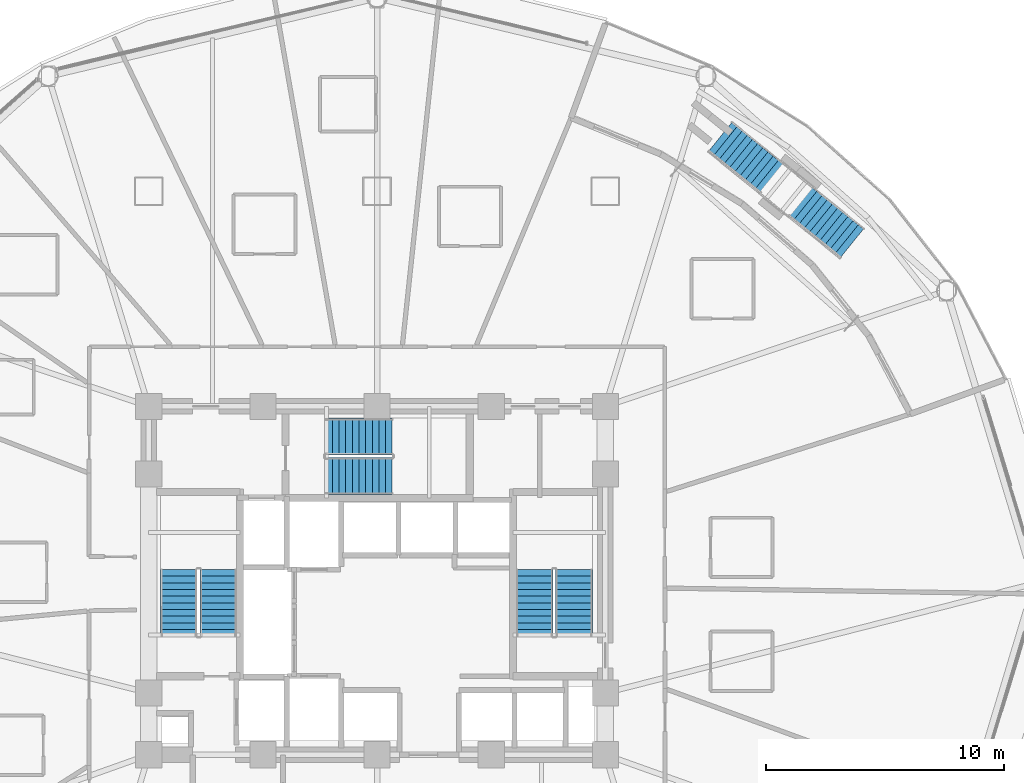
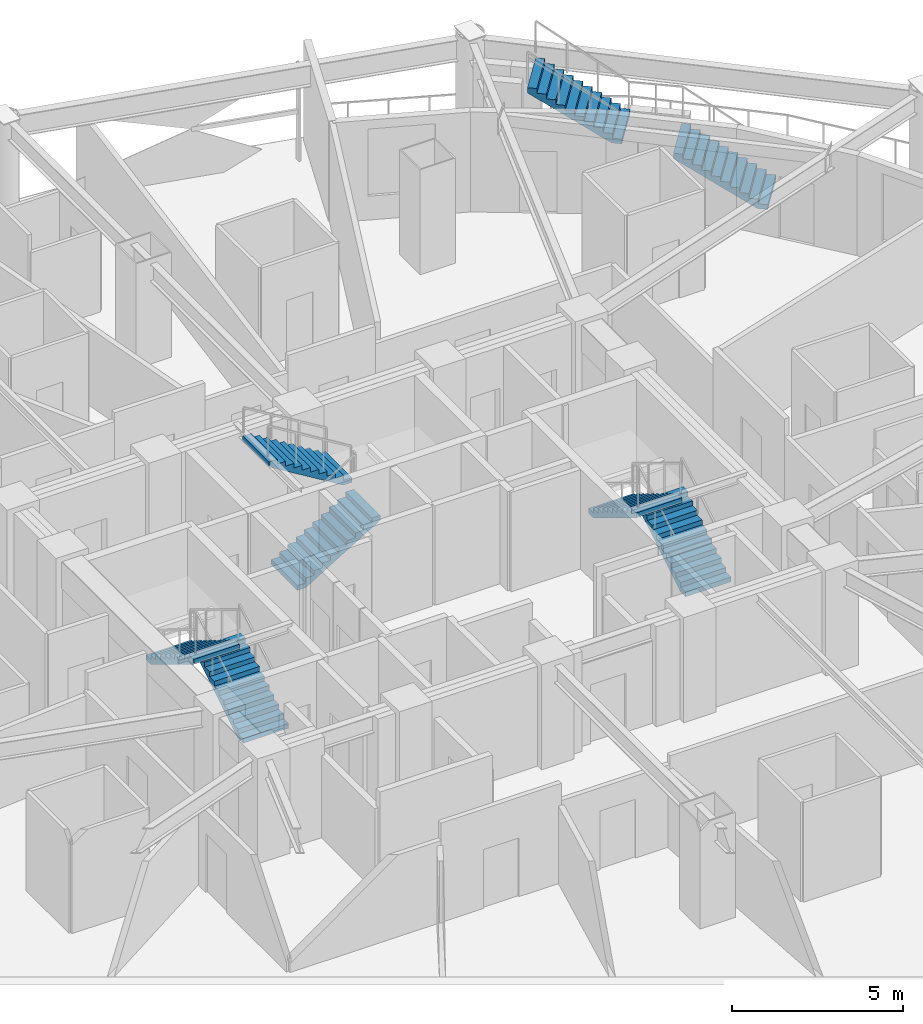
# One storey, part 28 of 33: 8 stair flights, 4 elements without a shape of their own.
"""IFC4 building model written with IfcOpenShell, lengths in metres."""

from ifc_helpers import new_model, si_unit, direction, frame, origin, place, context, subcontext, project, spatial, polyline, outline, extrude, material, type_object, element, aggregate, save


model = new_model("IFC4")

# Units and contexts
model_context = context("Model", 3, precision=1e-05, world=origin(), true_north=direction((0.0, 1.0)))
body_context = subcontext(model_context, "Body", "Model", "MODEL_VIEW")
ifc_project = project(units=[si_unit("LENGTHUNIT", "METRE"), si_unit("AREAUNIT", "SQUARE_METRE"), si_unit("VOLUMEUNIT", "CUBIC_METRE"), si_unit("PLANEANGLEUNIT", "RADIAN"), si_unit("MASSUNIT", "GRAM", prefix="KILO")], contexts=[model_context])

# Site, building, storey
site_placement = place(None, origin())
site = spatial("IfcSite", under=ifc_project, at=site_placement, CompositionType="ELEMENT")
building_placement = place(site_placement, origin())
building = spatial("IfcBuilding", under=site, at=building_placement, Name="Vantalir Tower", CompositionType="ELEMENT")
storey_placement = place(building_placement, frame((0.0, 0.0, 68.25)))
storey = spatial("IfcBuildingStorey", under=building, at=storey_placement, Name="L16", CompositionType="ELEMENT", Elevation=68.25)

# Stair, stair flights
ifc_material_1 = material(Name="Concrete C40/50", Category="concrete")
stair_type_1 = type_object("IfcStairType", Name="STR-CORE-1450", PredefinedType="HALF_TURN_STAIR", material=ifc_material_1)
stair_1_placement = place(storey_placement, origin())
stair_1 = element("IfcStair", 1, at=stair_1_placement, inside=storey, type_object=stair_type_1, Name="L16 Core Exit Stair 1", PredefinedType="HALF_TURN_STAIR")
stair_flight_type_1 = type_object("IfcStairFlightType", Name="FLT-CORE-1450", PredefinedType="STRAIGHT", material=ifc_material_1)
stair_flight_1_placement = place(storey_placement, frame((24.830078125, 22.7900390625, 0.0), z_axis=(0.0, 0.0, 1.0), x_axis=(0.0, 1.0, 0.0)))
stair_flight_1 = element("IfcStairFlight", 2, at=stair_flight_1_placement, type_object=stair_flight_type_1, Name="ST1 flight 1", NumberOfRisers=11, NumberOfTreads=10, PredefinedType="STRAIGHT", RiserHeight=0.170454545, TreadLength=0.28, context=body_context, shape_type="SweptSolid", body=[
    extrude(outline(polyline([(0.0, 0.0), (0.0, 0.17041015625), (0.280029296875, 0.17041015625), (0.280029296875, 0.3408203125), (0.56005859375, 0.3408203125), (0.56005859375, 0.511474609375), (0.840087890625, 0.511474609375), (0.840087890625, 0.681884765625), (1.1201171875, 0.681884765625), (1.1201171875, 0.852294921875), (1.39990234375, 0.852294921875), (1.39990234375, 1.022705078125), (1.679931640625, 1.022705078125), (1.679931640625, 1.193115234375), (1.9599609375, 1.193115234375), (1.9599609375, 1.363525390625), (2.239990234375, 1.363525390625), (2.239990234375, 1.5341796875), (2.52001953125, 1.5341796875), (2.52001953125, 1.70458984375), (2.800048828125, 1.70458984375), (2.800048828125, 1.875), (2.800048828125, 1.529052734375), (0.288330078125, 0.0), (0.0, 0.0)])), frame((0.0, 0.77001953125, 0.0), z_axis=(0.0, -1.0, 0.0), x_axis=(1.0, 0.0, 0.0)), (0.0, 0.0, 1.0), 1.5400390625),
])
stair_flight_2_placement = place(storey_placement, frame((23.169921875, 25.590087890625, 1.875), z_axis=(0.0, 0.0, 1.0), x_axis=(0.0, -1.0, 0.0)))
stair_flight_2 = element("IfcStairFlight", 3, at=stair_flight_2_placement, type_object=stair_flight_type_1, Name="ST1 flight 2", NumberOfRisers=11, NumberOfTreads=10, PredefinedType="STRAIGHT", RiserHeight=0.170454545, TreadLength=0.28, context=body_context, shape_type="SweptSolid", body=[
    extrude(outline(polyline([(0.0, 0.0), (0.0, 0.17041015625), (0.280029296875, 0.17041015625), (0.280029296875, 0.3408203125), (0.56005859375, 0.3408203125), (0.56005859375, 0.511474609375), (0.840087890625, 0.511474609375), (0.840087890625, 0.681884765625), (1.1201171875, 0.681884765625), (1.1201171875, 0.852294921875), (1.39990234375, 0.852294921875), (1.39990234375, 1.022705078125), (1.679931640625, 1.022705078125), (1.679931640625, 1.193115234375), (1.9599609375, 1.193115234375), (1.9599609375, 1.363525390625), (2.239990234375, 1.363525390625), (2.239990234375, 1.5341796875), (2.52001953125, 1.5341796875), (2.52001953125, 1.70458984375), (2.800048828125, 1.70458984375), (2.800048828125, 1.875), (2.800048828125, 1.529052734375), (0.288330078125, 0.0), (0.0, 0.0)])), frame((0.0, 0.77001953125, 0.0), z_axis=(0.0, -1.0, 0.0), x_axis=(1.0, 0.0, 0.0)), (0.0, 0.0, 1.0), 1.5400390625),
])
aggregate(stair_1, [stair_flight_1, stair_flight_2])

stair_2_placement = place(storey_placement, origin())
stair_2 = element("IfcStair", 4, at=stair_2_placement, inside=storey, type_object=stair_type_1, Name="L16 Core Exit Stair 2", PredefinedType="HALF_TURN_STAIR")
stair_flight_3_placement = place(storey_placement, frame((39.780029296875, 22.7900390625, 0.0), z_axis=(0.0, 0.0, 1.0), x_axis=(0.0, 1.0, 0.0)))
stair_flight_3 = element("IfcStairFlight", 5, at=stair_flight_3_placement, type_object=stair_flight_type_1, Name="ST2 flight 1", NumberOfRisers=11, NumberOfTreads=10, PredefinedType="STRAIGHT", RiserHeight=0.170454545, TreadLength=0.28, context=body_context, shape_type="SweptSolid", body=[
    extrude(outline(polyline([(0.0, 0.0), (0.0, 0.17041015625), (0.280029296875, 0.17041015625), (0.280029296875, 0.3408203125), (0.56005859375, 0.3408203125), (0.56005859375, 0.511474609375), (0.840087890625, 0.511474609375), (0.840087890625, 0.681884765625), (1.1201171875, 0.681884765625), (1.1201171875, 0.852294921875), (1.39990234375, 0.852294921875), (1.39990234375, 1.022705078125), (1.679931640625, 1.022705078125), (1.679931640625, 1.193115234375), (1.9599609375, 1.193115234375), (1.9599609375, 1.363525390625), (2.239990234375, 1.363525390625), (2.239990234375, 1.5341796875), (2.52001953125, 1.5341796875), (2.52001953125, 1.70458984375), (2.800048828125, 1.70458984375), (2.800048828125, 1.875), (2.800048828125, 1.529052734375), (0.288330078125, 0.0), (0.0, 0.0)])), frame((0.0, 0.77001953125, 0.0), z_axis=(0.0, -1.0, 0.0), x_axis=(1.0, 0.0, 0.0)), (0.0, 0.0, 1.0), 1.5400390625),
])
stair_flight_4_placement = place(storey_placement, frame((38.1201171875, 25.590087890625, 1.875), z_axis=(0.0, 0.0, 1.0), x_axis=(0.0, -1.0, 0.0)))
stair_flight_4 = element("IfcStairFlight", 6, at=stair_flight_4_placement, type_object=stair_flight_type_1, Name="ST2 flight 2", NumberOfRisers=11, NumberOfTreads=10, PredefinedType="STRAIGHT", RiserHeight=0.170454545, TreadLength=0.28, context=body_context, shape_type="SweptSolid", body=[
    extrude(outline(polyline([(0.0, 0.0), (0.0, 0.17041015625), (0.280029296875, 0.17041015625), (0.280029296875, 0.3408203125), (0.56005859375, 0.3408203125), (0.56005859375, 0.511474609375), (0.840087890625, 0.511474609375), (0.840087890625, 0.681884765625), (1.1201171875, 0.681884765625), (1.1201171875, 0.852294921875), (1.39990234375, 0.852294921875), (1.39990234375, 1.022705078125), (1.679931640625, 1.022705078125), (1.679931640625, 1.193115234375), (1.9599609375, 1.193115234375), (1.9599609375, 1.363525390625), (2.239990234375, 1.363525390625), (2.239990234375, 1.5341796875), (2.52001953125, 1.5341796875), (2.52001953125, 1.70458984375), (2.800048828125, 1.70458984375), (2.800048828125, 1.875), (2.800048828125, 1.529052734375), (0.288330078125, 0.0), (0.0, 0.0)])), frame((0.0, 0.77001953125, 0.0), z_axis=(0.0, -1.0, 0.0), x_axis=(1.0, 0.0, 0.0)), (0.0, 0.0, 1.0), 1.5400390625),
])
aggregate(stair_2, [stair_flight_3, stair_flight_4])

stair_3_placement = place(storey_placement, origin())
stair_3 = element("IfcStair", 7, at=stair_3_placement, inside=storey, type_object=stair_type_1, Name="L16 Core Exit Stair 3", PredefinedType="HALF_TURN_STAIR")
stair_flight_5_placement = place(storey_placement, frame((29.340087890625, 29.52001953125, 0.0), z_axis=(0.0, 0.0, 1.0), x_axis=(1.0, 0.0, 0.0)))
stair_flight_5 = element("IfcStairFlight", 8, at=stair_flight_5_placement, type_object=stair_flight_type_1, Name="ST3 flight 1", NumberOfRisers=11, NumberOfTreads=10, PredefinedType="STRAIGHT", RiserHeight=0.170454545, TreadLength=0.28, context=body_context, shape_type="SweptSolid", body=[
    extrude(outline(polyline([(0.0, 0.0), (0.0, 0.17041015625), (0.280029296875, 0.17041015625), (0.280029296875, 0.3408203125), (0.56005859375, 0.3408203125), (0.56005859375, 0.511474609375), (0.840087890625, 0.511474609375), (0.840087890625, 0.681884765625), (1.1201171875, 0.681884765625), (1.1201171875, 0.852294921875), (1.39990234375, 0.852294921875), (1.39990234375, 1.022705078125), (1.679931640625, 1.022705078125), (1.679931640625, 1.193115234375), (1.9599609375, 1.193115234375), (1.9599609375, 1.363525390625), (2.239990234375, 1.363525390625), (2.239990234375, 1.5341796875), (2.52001953125, 1.5341796875), (2.52001953125, 1.70458984375), (2.800048828125, 1.70458984375), (2.800048828125, 1.875), (2.800048828125, 1.529052734375), (0.288330078125, 0.0), (0.0, 0.0)])), frame((0.0, 0.77001953125, 0.0), z_axis=(0.0, -1.0, 0.0), x_axis=(1.0, 0.0, 0.0)), (0.0, 0.0, 1.0), 1.5400390625),
])
stair_flight_6_placement = place(storey_placement, frame((32.139892578125, 31.179931640625, 1.875), z_axis=(0.0, 0.0, 1.0), x_axis=(-1.0, 0.0, 0.0)))
stair_flight_6 = element("IfcStairFlight", 9, at=stair_flight_6_placement, type_object=stair_flight_type_1, Name="ST3 flight 2", NumberOfRisers=11, NumberOfTreads=10, PredefinedType="STRAIGHT", RiserHeight=0.170454545, TreadLength=0.28, context=body_context, shape_type="SweptSolid", body=[
    extrude(outline(polyline([(0.0, 0.0), (0.0, 0.17041015625), (0.280029296875, 0.17041015625), (0.280029296875, 0.3408203125), (0.56005859375, 0.3408203125), (0.56005859375, 0.511474609375), (0.840087890625, 0.511474609375), (0.840087890625, 0.681884765625), (1.1201171875, 0.681884765625), (1.1201171875, 0.852294921875), (1.39990234375, 0.852294921875), (1.39990234375, 1.022705078125), (1.679931640625, 1.022705078125), (1.679931640625, 1.193115234375), (1.9599609375, 1.193115234375), (1.9599609375, 1.363525390625), (2.239990234375, 1.363525390625), (2.239990234375, 1.5341796875), (2.52001953125, 1.5341796875), (2.52001953125, 1.70458984375), (2.800048828125, 1.70458984375), (2.800048828125, 1.875), (2.800048828125, 1.529052734375), (0.288330078125, 0.0), (0.0, 0.0)])), frame((0.0, 0.77001953125, 0.0), z_axis=(0.0, -1.0, 0.0), x_axis=(1.0, 0.0, 0.0)), (0.0, 0.0, 1.0), 1.5400390625),
])
aggregate(stair_3, [stair_flight_5, stair_flight_6])

ifc_material_2 = material(Name="Steel S355", Category="steel")
stair_type_2 = type_object("IfcStairType", Name="STR-SKYGARDEN-1550", PredefinedType="STRAIGHT_RUN_STAIR", material=ifc_material_2)
stair_4_placement = place(storey_placement, origin())
stair_4 = element("IfcStair", 10, at=stair_4_placement, inside=storey, type_object=stair_type_2, Name="Sky Garden Feature Stair SG1", PredefinedType="STRAIGHT_RUN_STAIR")
stair_flight_type_2 = type_object("IfcStairFlightType", Name="FLT-SKYGARDEN-1550", PredefinedType="STRAIGHT", material=ifc_material_2)
stair_flight_7_placement = place(storey_placement, frame((51.462890625, 39.300048828125, 0.0), z_axis=(0.0, 0.0, 1.0), x_axis=(-0.777992101847, 0.628274056016, 0.0)))
stair_flight_7 = element("IfcStairFlight", 11, at=stair_flight_7_placement, type_object=stair_flight_type_2, Name="ST-SG1 flight 1", NumberOfRisers=11, NumberOfTreads=10, PredefinedType="STRAIGHT", RiserHeight=0.170455, TreadLength=0.28, context=body_context, shape_type="SweptSolid", body=[
    extrude(outline(polyline([(0.0, 0.0), (0.0, 0.17041015625), (0.280029296875, 0.17041015625), (0.280029296875, 0.3408203125), (0.56005859375, 0.3408203125), (0.56005859375, 0.511474609375), (0.840087890625, 0.511474609375), (0.840087890625, 0.681884765625), (1.1201171875, 0.681884765625), (1.1201171875, 0.852294921875), (1.39990234375, 0.852294921875), (1.39990234375, 1.022705078125), (1.679931640625, 1.022705078125), (1.679931640625, 1.193115234375), (1.9599609375, 1.193115234375), (1.9599609375, 1.363525390625), (2.239990234375, 1.363525390625), (2.239990234375, 1.5341796875), (2.52001953125, 1.5341796875), (2.52001953125, 1.70458984375), (2.800048828125, 1.70458984375), (2.800048828125, 1.875), (2.800048828125, 1.517333984375), (0.3076171875, 0.0), (0.0, 0.0)])), frame((0.0, 0.77490234375, 0.0), z_axis=(0.0, -1.0, 0.0), x_axis=(1.0, 0.0, 0.0)), (0.0, 0.0, 1.0), 1.550048828125),
])
stair_flight_8_placement = place(storey_placement, frame((48.10205078125, 42.013916015625, 1.875), z_axis=(0.0, 0.0, 1.0), x_axis=(-0.777992101847, 0.628274056016, 0.0)))
stair_flight_8 = element("IfcStairFlight", 12, at=stair_flight_8_placement, type_object=stair_flight_type_2, Name="ST-SG1 flight 2", NumberOfRisers=11, NumberOfTreads=10, PredefinedType="STRAIGHT", RiserHeight=0.170455, TreadLength=0.28, context=body_context, shape_type="SweptSolid", body=[
    extrude(outline(polyline([(0.0, 0.0), (0.0, 0.17041015625), (0.280029296875, 0.17041015625), (0.280029296875, 0.3408203125), (0.56005859375, 0.3408203125), (0.56005859375, 0.511474609375), (0.840087890625, 0.511474609375), (0.840087890625, 0.681884765625), (1.1201171875, 0.681884765625), (1.1201171875, 0.852294921875), (1.39990234375, 0.852294921875), (1.39990234375, 1.022705078125), (1.679931640625, 1.022705078125), (1.679931640625, 1.193115234375), (1.9599609375, 1.193115234375), (1.9599609375, 1.363525390625), (2.239990234375, 1.363525390625), (2.239990234375, 1.5341796875), (2.52001953125, 1.5341796875), (2.52001953125, 1.70458984375), (2.800048828125, 1.70458984375), (2.800048828125, 1.875), (2.800048828125, 1.517333984375), (0.3076171875, 0.0), (0.0, 0.0)])), frame((0.0, 0.77490234375, 0.0), z_axis=(0.0, -1.0, 0.0), x_axis=(1.0, 0.0, 0.0)), (0.0, 0.0, 1.0), 1.550048828125),
])
aggregate(stair_4, [stair_flight_7, stair_flight_8])

save(model, "model.ifc")
